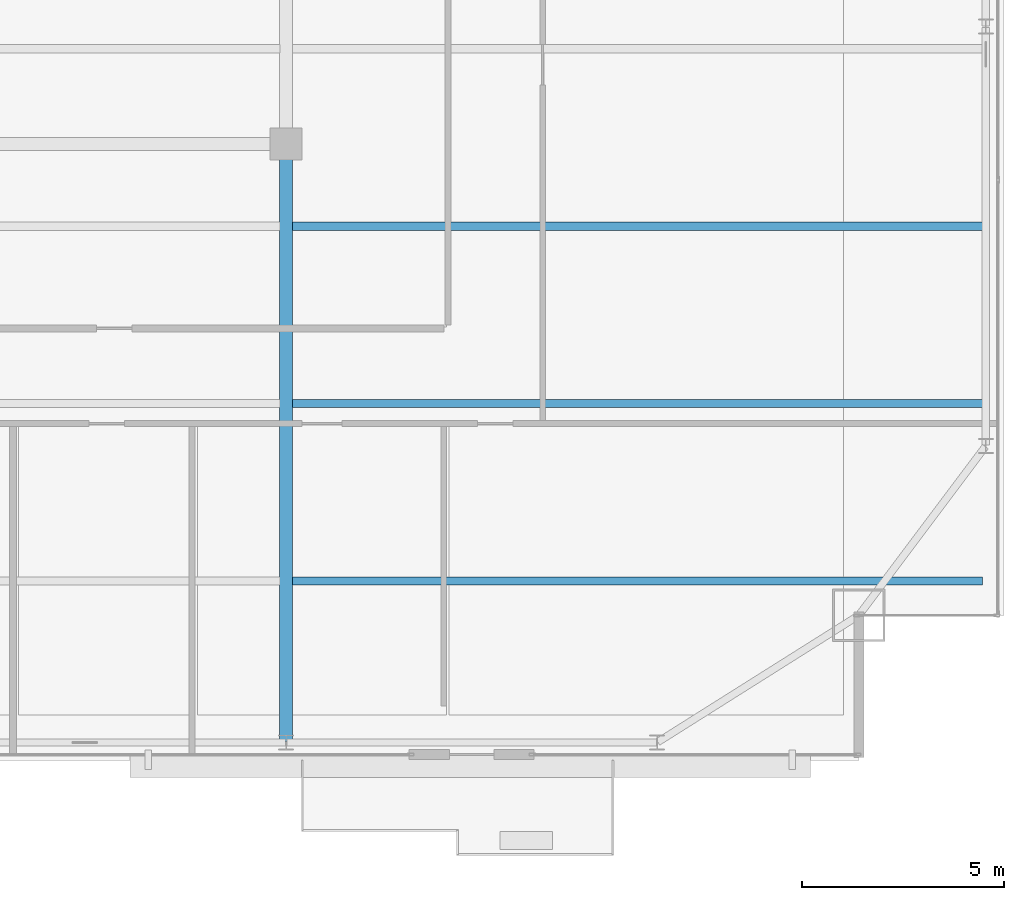
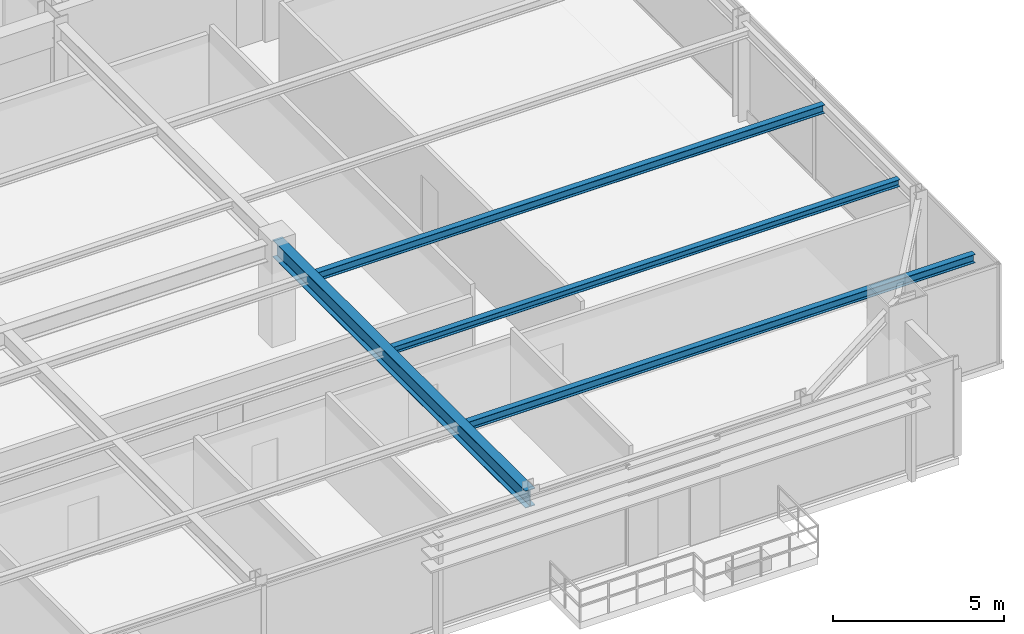
# One storey, part 14 of 30: 4 beams.
"""IFC4 building model written with IfcOpenShell, lengths in metres."""

from ifc_helpers import new_model, si_unit, direction, frame, origin, origin_2d, place, context, subcontext, project, spatial, i_section, extrude, source, transform, mapped, material, material_profile, profile_set, type_object, type_shapes, element, save


model = new_model("IFC4")

# Units and contexts
model_context = context("Model", 3, precision=1e-05, world=origin(), true_north=direction((0.0, 1.0)))
body_context = subcontext(model_context, "Body", "Model", "MODEL_VIEW")
ifc_project = project(units=[si_unit("LENGTHUNIT", "METRE"), si_unit("AREAUNIT", "SQUARE_METRE"), si_unit("VOLUMEUNIT", "CUBIC_METRE"), si_unit("PLANEANGLEUNIT", "RADIAN"), si_unit("MASSUNIT", "GRAM", prefix="KILO")], contexts=[model_context])

# Site, building, storey
site_placement = place(None, origin())
site = spatial("IfcSite", under=ifc_project, at=site_placement, CompositionType="ELEMENT")
building_placement = place(site_placement, origin())
building = spatial("IfcBuilding", under=site, at=building_placement, Name="Varnel Quay Broadcast Tower", CompositionType="ELEMENT")
storey_placement = place(building_placement, frame((0.0, 0.0, 168.60009765625)))
storey = spatial("IfcBuildingStorey", under=building, at=storey_placement, Name="L41", CompositionType="ELEMENT", Elevation=168.60009765625)

# Beams
ifc_material = material(Name="Structural Steel CSA G40.21 350W", Category="steel")
ifc_material_profile_1 = material_profile(ifc_material, i_section(OverallWidth=0.324951171875, OverallDepth=0.615966796875, WebThickness=0.013916015625, FlangeThickness=0.021484375, FilletRadius=0.01611328125, at=origin_2d()), Name="W610X174")
ifc_profile_set_1 = profile_set([ifc_material_profile_1], Name="Structural Steel CSA G40.21 350W")
beam_type_1 = type_object("IfcBeamType", Name="Girder_W610X174", PredefinedType="BEAM", material=ifc_profile_set_1)
shared_shape_1 = source(origin(), body_context, "Body", "SweptSolid", [
    extrude(i_section(OverallWidth=0.324951171875, OverallDepth=0.615966796875, WebThickness=0.013916015625, FlangeThickness=0.021484375, FilletRadius=0.01611328125, at=origin_2d()), origin(), (0.0, 0.0, 1.0), 14.800048828125),
])
type_shapes(beam_type_1, [shared_shape_1])
beam_1_placement = place(storey_placement, frame((43.199951171875, 7.669921875, 3.241943359375), z_axis=(0.0, 1.0, 0.0), x_axis=(-1.0, 0.0, 0.0)))
element("IfcBeam", 1, at=beam_1_placement, inside=storey, type_object=beam_type_1, Name="L41 Primary Girder TC-S4-IC-02", PredefinedType="BEAM", context=body_context, shape_type="MappedRepresentation", body=[
    mapped(shared_shape_1, transform((0.0, 0.0, 0.0), x_axis=(1.0, 0.0, 0.0), y_axis=(0.0, 1.0, 0.0), z_axis=(0.0, 0.0, 1.0), scale=1.0)),
])
ifc_material_profile_2 = material_profile(ifc_material, i_section(OverallWidth=0.202880859375, OverallDepth=0.302978515625, WebThickness=0.007568359375, FlangeThickness=0.01318359375, FilletRadius=0.011962890625, at=origin_2d()), Name="W310X60")
ifc_profile_set_2 = profile_set([ifc_material_profile_2], Name="Structural Steel CSA G40.21 350W")
beam_type_2 = type_object("IfcBeamType", Name="Beam_W310X60", PredefinedType="JOIST", material=ifc_profile_set_2)
shared_shape_2 = source(origin(), body_context, "Body", "SweptSolid", [
    extrude(i_section(OverallWidth=0.202880859375, OverallDepth=0.302978515625, WebThickness=0.007568359375, FlangeThickness=0.01318359375, FilletRadius=0.011962890625, at=origin_2d()), origin(), (0.0, 0.0, 1.0), 17.107177734375),
])
type_shapes(beam_type_2, [shared_shape_2])
for number, where, z_axis, x_axis, name in (
    (2, (43.357421875, 11.64990234375, 3.3984375), (1.0, 0.0, 0.0), (0.0, 1.0, 0.0), "L41 East Floor Joist 1"),
    (3, (43.357421875, 20.449951171875, 3.3984375), (1.0, 0.0, 0.0), (0.0, 1.0, 0.0), "L41 East Floor Joist 3"),
):
    element("IfcBeam", number, at=place(storey_placement, frame(where, z_axis=z_axis, x_axis=x_axis)), inside=storey, type_object=beam_type_2, Name=name, PredefinedType="JOIST", context=body_context, shape_type="MappedRepresentation", body=[
        mapped(shared_shape_2, transform((0.0, 0.0, 0.0), x_axis=(1.0, 0.0, 0.0), y_axis=(0.0, 1.0, 0.0), z_axis=(0.0, 0.0, 1.0), scale=1.0)),
    ])
ifc_material_profile_3 = material_profile(ifc_material, i_section(OverallWidth=0.201904296875, OverallDepth=0.2470703125, WebThickness=0.00732421875, FlangeThickness=0.010986328125, FilletRadius=0.010986328125, at=origin_2d()), Name="W250X49")
ifc_profile_set_3 = profile_set([ifc_material_profile_3], Name="Structural Steel CSA G40.21 350W")
beam_type_3 = type_object("IfcBeamType", Name="Beam_W250X49", PredefinedType="JOIST", material=ifc_profile_set_3)
shared_shape_3 = source(origin(), body_context, "Body", "SweptSolid", [
    extrude(i_section(OverallWidth=0.201904296875, OverallDepth=0.2470703125, WebThickness=0.00732421875, FlangeThickness=0.010986328125, FilletRadius=0.010986328125, at=origin_2d()), origin(), (0.0, 0.0, 1.0), 17.107177734375),
])
type_shapes(beam_type_3, [shared_shape_3])
beam_2_placement = place(storey_placement, frame((43.357421875, 16.050048828125, 3.426513671875), z_axis=(1.0, 0.0, 0.0), x_axis=(0.0, 1.0, 0.0)))
element("IfcBeam", 4, at=beam_2_placement, inside=storey, type_object=beam_type_3, Name="L41 East Floor Joist 2", PredefinedType="JOIST", context=body_context, shape_type="MappedRepresentation", body=[
    mapped(shared_shape_3, transform((0.0, 0.0, 0.0), x_axis=(1.0, 0.0, 0.0), y_axis=(0.0, 1.0, 0.0), z_axis=(0.0, 0.0, 1.0), scale=1.0)),
])

save(model, "model.ifc")
